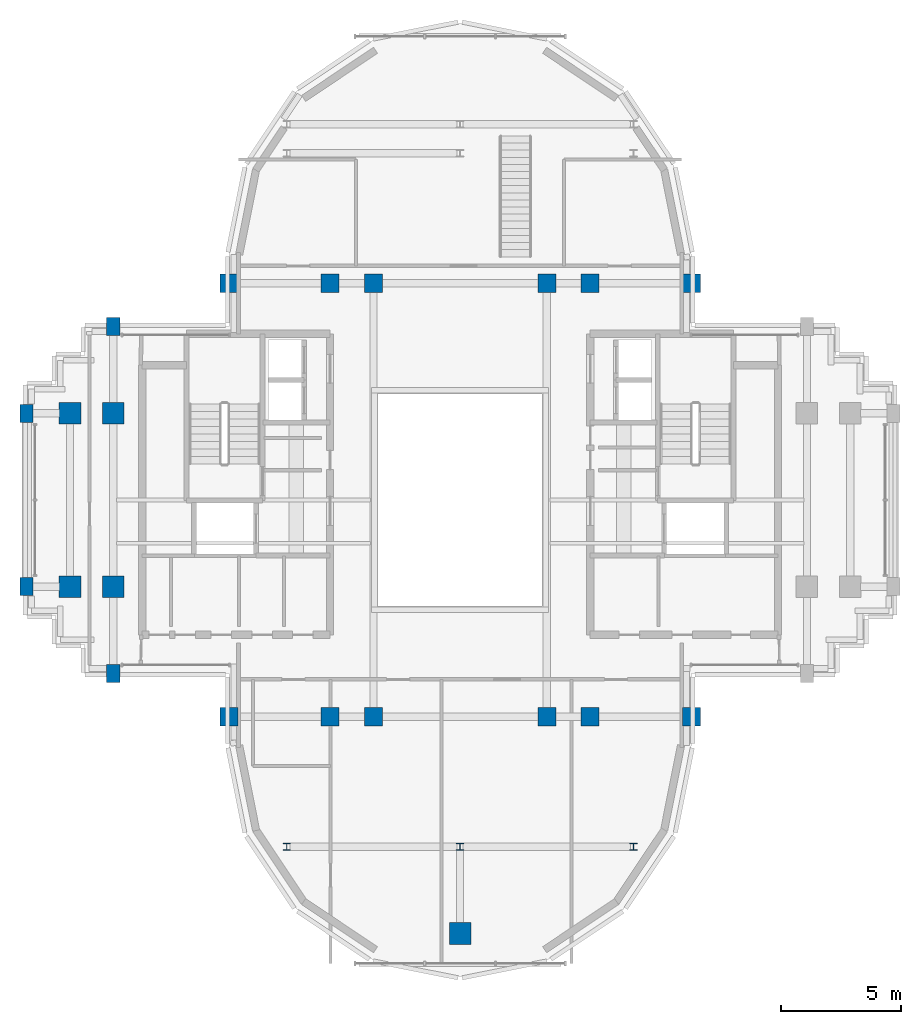
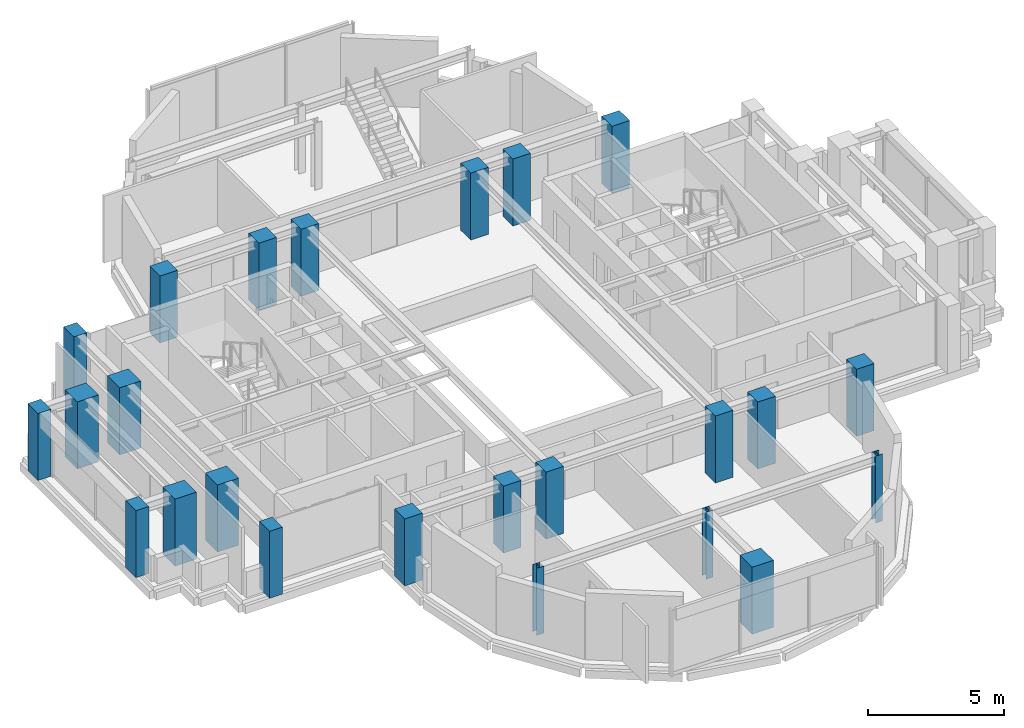
# One storey, part 1 of 13: 24 columns.
"""IFC4 building model written with IfcOpenShell, lengths in metres."""

from ifc_helpers import new_model, si_unit, direction, frame, origin, origin_2d, place, context, subcontext, project, spatial, rectangle, i_section, extrude, source, transform, mapped, material, material_profile, profile_set, type_object, element, save


model = new_model("IFC4")

# Units and contexts
model_context = context("Model", 3, precision=1e-05, world=origin(), true_north=direction((0.0, 1.0)))
body_context = subcontext(model_context, "Body", "Model", "MODEL_VIEW")
ifc_project = project(units=[si_unit("LENGTHUNIT", "METRE"), si_unit("AREAUNIT", "SQUARE_METRE"), si_unit("VOLUMEUNIT", "CUBIC_METRE"), si_unit("PLANEANGLEUNIT", "RADIAN"), si_unit("MASSUNIT", "GRAM", prefix="KILO")], contexts=[model_context])

# Site, building, storey
site_placement = place(None, origin())
site = spatial("IfcSite", under=ifc_project, at=site_placement, CompositionType="ELEMENT")
building_placement = place(site_placement, origin())
building = spatial("IfcBuilding", under=site, at=building_placement, Name="Keilestroom Media Tower", CompositionType="ELEMENT")
storey_placement = place(building_placement, frame((0.0, 0.0, 230.0)))
storey = spatial("IfcBuildingStorey", under=building, at=storey_placement, Name="L63", CompositionType="ELEMENT", Elevation=230.0)

# Columns
ifc_material_1 = material(Name="Precast concrete C40/50", Category="concrete")
ifc_material_profile_1 = material_profile(ifc_material_1, rectangle(XDim=0.550048828125, YDim=0.75, at=origin_2d()), Name="PC 750x550")
ifc_profile_set_1 = profile_set([ifc_material_profile_1], Name="Precast concrete C40/50")
column_type_1 = type_object("IfcColumnType", Name="Structural-Column-PC-750x550", PredefinedType="COLUMN", material=ifc_profile_set_1)
shared_shape_1 = source(origin(), body_context, "Body", "SweptSolid", [
    extrude(rectangle(XDim=0.550048828125, YDim=0.75, at=origin_2d()), origin(), (0.0, 0.0, 1.0), 3.010009765625),
])
for number, where, z_axis, x_axis, name in (
    (1, (-18.0, -3.60009765625, 0.0), (0.0, 0.0, 1.0), (1.0, 0.0, 0.0), "L63 Column PC-3 (-18.0,-3.6)"),
    (2, (-18.0, 3.60009765625, 0.0), (0.0, 0.0, 1.0), (1.0, 0.0, 0.0), "L63 Column PC-3 (-18.0,+3.6)"),
    (3, (-14.39990234375, -7.199951171875, 0.0), (0.0, 0.0, 1.0), (1.0, 0.0, 0.0), "L63 Column PC-3 (-14.4,-7.2)"),
    (4, (-14.39990234375, 7.199951171875, 0.0), (0.0, 0.0, 1.0), (1.0, 0.0, 0.0), "L63 Column PC-3 (-14.4,+7.2)"),
):
    element("IfcColumn", number, at=place(storey_placement, frame(where, z_axis=z_axis, x_axis=x_axis)), inside=storey, type_object=column_type_1, Name=name, PredefinedType="COLUMN", context=body_context, shape_type="MappedRepresentation", body=[
        mapped(shared_shape_1, transform((0.0, 0.0, 0.0), x_axis=(1.0, 0.0, 0.0), y_axis=(0.0, 1.0, 0.0), z_axis=(0.0, 0.0, 1.0), scale=1.0)),
    ])
ifc_material_2 = material(Name="Concrete C55/67", Category="concrete")
ifc_material_profile_2 = material_profile(ifc_material_2, rectangle(XDim=0.89990234375, YDim=0.89990234375, at=origin_2d()), Name="RC 900x900")
ifc_profile_set_2 = profile_set([ifc_material_profile_2], Name="Concrete C55/67")
column_type_2 = type_object("IfcColumnType", Name="Structural-Column-RC-900x900", PredefinedType="COLUMN", material=ifc_profile_set_2)
shared_shape_2 = source(origin(), body_context, "Body", "SweptSolid", [
    extrude(rectangle(XDim=0.89990234375, YDim=0.89990234375, at=origin_2d()), origin(), (0.0, 0.0, 1.0), 3.010009765625),
])
for number, where, z_axis, x_axis, name in (
    (5, (-16.199951171875, -3.60009765625, 0.0), (0.0, 0.0, 1.0), (1.0, 0.0, 0.0), "L63 Column MC-4 (-16.2,-3.6)"),
    (6, (-16.199951171875, 3.60009765625, 0.0), (0.0, 0.0, 1.0), (1.0, 0.0, 0.0), "L63 Column MC-4 (-16.2,+3.6)"),
    (7, (-14.39990234375, -3.60009765625, 0.0), (0.0, 0.0, 1.0), (1.0, 0.0, 0.0), "L63 Column MC-4 (-14.4,-3.6)"),
    (8, (-14.39990234375, 3.60009765625, 0.0), (0.0, 0.0, 1.0), (1.0, 0.0, 0.0), "L63 Column MC-4 (-14.4,+3.6)"),
    (9, (0.0, -18.0, 0.0), (0.0, 0.0, 1.0), (1.0, 0.0, 0.0), "L63 Column MC-4 (+0.0,-18.0)"),
):
    element("IfcColumn", number, at=place(storey_placement, frame(where, z_axis=z_axis, x_axis=x_axis)), inside=storey, type_object=column_type_2, Name=name, PredefinedType="COLUMN", context=body_context, shape_type="MappedRepresentation", body=[
        mapped(shared_shape_2, transform((0.0, 0.0, 0.0), x_axis=(1.0, 0.0, 0.0), y_axis=(0.0, 1.0, 0.0), z_axis=(0.0, 0.0, 1.0), scale=1.0)),
    ])
ifc_material_3 = material(Name="Concrete C50/60", Category="concrete")
ifc_material_profile_3 = material_profile(ifc_material_3, rectangle(XDim=0.75, YDim=0.75, at=origin_2d()), Name="RC 750x750")
ifc_profile_set_3 = profile_set([ifc_material_profile_3], Name="Concrete C50/60")
column_type_3 = type_object("IfcColumnType", Name="Structural-Column-RC-750x750", PredefinedType="COLUMN", material=ifc_profile_set_3)
shared_shape_3 = source(origin(), body_context, "Body", "SweptSolid", [
    extrude(rectangle(XDim=0.75, YDim=0.75, at=origin_2d()), origin(), (0.0, 0.0, 1.0), 3.010009765625),
])
for number, where, z_axis, x_axis, name in (
    (10, (-9.60009765625, -9.0, 0.0), (0.0, 0.0, 1.0), (1.0, 0.0, 0.0), "L63 Column MC-5 (-9.6,-9.0)"),
    (11, (-9.60009765625, 9.0, 0.0), (0.0, 0.0, 1.0), (1.0, 0.0, 0.0), "L63 Column MC-5 (-9.6,+9.0)"),
    (12, (-5.39990234375, -9.0, 0.0), (0.0, 0.0, 1.0), (1.0, 0.0, 0.0), "L63 Column MC-5 (-5.4,-9.0)"),
    (13, (-5.39990234375, 9.0, 0.0), (0.0, 0.0, 1.0), (1.0, 0.0, 0.0), "L63 Column MC-5 (-5.4,+9.0)"),
    (14, (-3.60009765625, -9.0, 0.0), (0.0, 0.0, 1.0), (1.0, 0.0, 0.0), "L63 Column MC-5 (-3.6,-9.0)"),
    (15, (-3.60009765625, 9.0, 0.0), (0.0, 0.0, 1.0), (1.0, 0.0, 0.0), "L63 Column MC-5 (-3.6,+9.0)"),
    (16, (3.60009765625, -9.0, 0.0), (0.0, 0.0, 1.0), (1.0, 0.0, 0.0), "L63 Column MC-5 (+3.6,-9.0)"),
    (17, (3.60009765625, 9.0, 0.0), (0.0, 0.0, 1.0), (1.0, 0.0, 0.0), "L63 Column MC-5 (+3.6,+9.0)"),
    (18, (5.39990234375, -9.0, 0.0), (0.0, 0.0, 1.0), (1.0, 0.0, 0.0), "L63 Column MC-5 (+5.4,-9.0)"),
    (19, (5.39990234375, 9.0, 0.0), (0.0, 0.0, 1.0), (1.0, 0.0, 0.0), "L63 Column MC-5 (+5.4,+9.0)"),
    (20, (9.60009765625, -9.0, 0.0), (0.0, 0.0, 1.0), (1.0, 0.0, 0.0), "L63 Column MC-5 (+9.6,-9.0)"),
    (21, (9.60009765625, 9.0, 0.0), (0.0, 0.0, 1.0), (1.0, 0.0, 0.0), "L63 Column MC-5 (+9.6,+9.0)"),
):
    element("IfcColumn", number, at=place(storey_placement, frame(where, z_axis=z_axis, x_axis=x_axis)), inside=storey, type_object=column_type_3, Name=name, PredefinedType="COLUMN", context=body_context, shape_type="MappedRepresentation", body=[
        mapped(shared_shape_3, transform((0.0, 0.0, 0.0), x_axis=(1.0, 0.0, 0.0), y_axis=(0.0, 1.0, 0.0), z_axis=(0.0, 0.0, 1.0), scale=1.0)),
    ])
ifc_material_4 = material(Name="Steel S355", Category="steel")
ifc_material_profile_4 = material_profile(ifc_material_4, i_section(OverallWidth=0.300048828125, OverallDepth=0.300048828125, WebThickness=0.010986328125, FlangeThickness=0.01904296875, at=origin_2d()), Name="HEB 300")
ifc_profile_set_4 = profile_set([ifc_material_profile_4], Name="Steel S355")
column_type_4 = type_object("IfcColumnType", Name="Structural-Column-HEB-300", PredefinedType="COLUMN", material=ifc_profile_set_4)
shared_shape_4 = source(origin(), body_context, "Body", "SweptSolid", [
    extrude(i_section(OverallWidth=0.300048828125, OverallDepth=0.300048828125, WebThickness=0.010986328125, FlangeThickness=0.01904296875, at=origin_2d()), origin(), (0.0, 0.0, 1.0), 3.010009765625),
])
for number, where, z_axis, x_axis, name in (
    (22, (-7.199951171875, -14.39990234375, 0.0), (0.0, 0.0, 1.0), (1.0, 0.0, 0.0), "L63 Column SC-5 (-7.2,-14.4)"),
    (23, (0.0, -14.39990234375, 0.0), (0.0, 0.0, 1.0), (1.0, 0.0, 0.0), "L63 Column SC-5 (+0.0,-14.4)"),
    (24, (7.199951171875, -14.39990234375, 0.0), (0.0, 0.0, 1.0), (1.0, 0.0, 0.0), "L63 Column SC-5 (+7.2,-14.4)"),
):
    element("IfcColumn", number, at=place(storey_placement, frame(where, z_axis=z_axis, x_axis=x_axis)), inside=storey, type_object=column_type_4, Name=name, PredefinedType="COLUMN", context=body_context, shape_type="MappedRepresentation", body=[
        mapped(shared_shape_4, transform((0.0, 0.0, 0.0), x_axis=(1.0, 0.0, 0.0), y_axis=(0.0, 1.0, 0.0), z_axis=(0.0, 0.0, 1.0), scale=1.0)),
    ])

save(model, "model.ifc")
